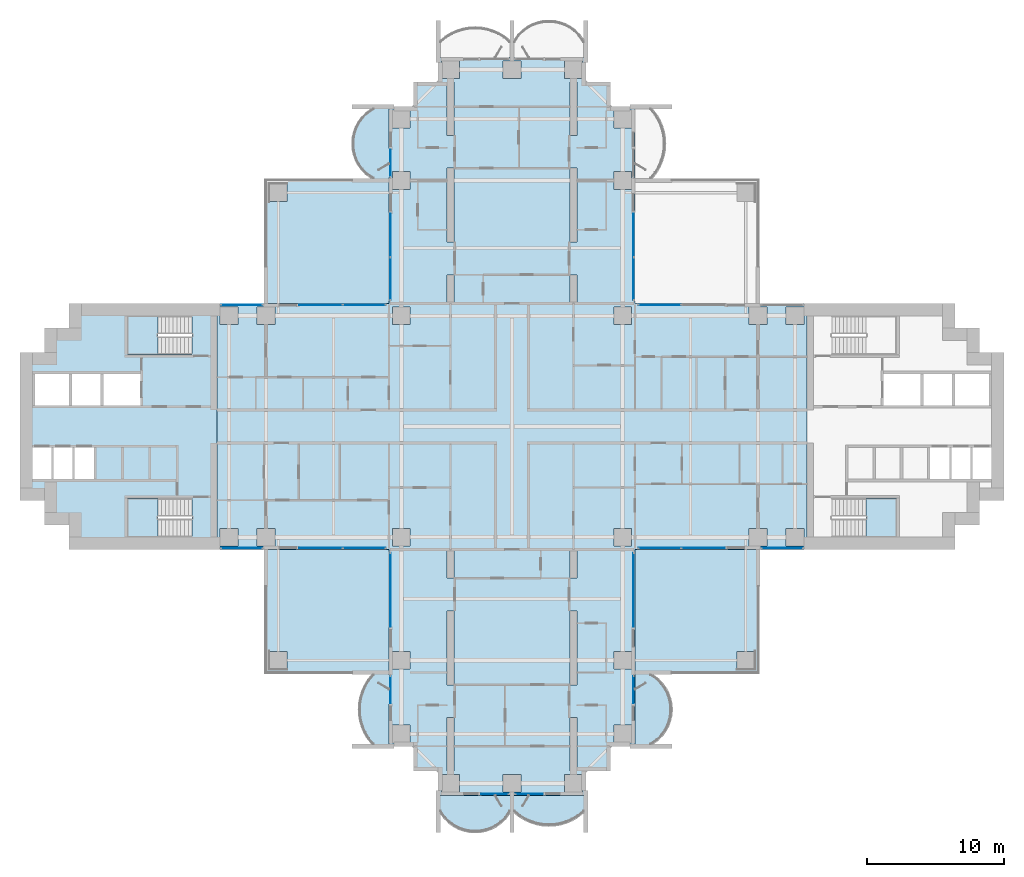
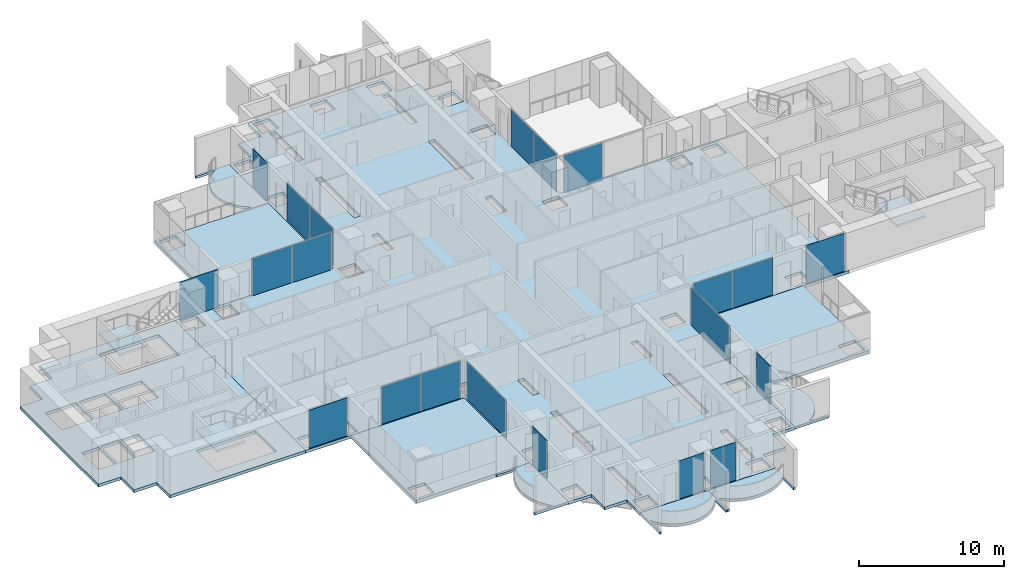
# One storey, part 8 of 21: 21 plates, 13 slabs, 19 elements without a shape of their own.
"""IFC4 building model written with IfcOpenShell, lengths in metres."""

from ifc_helpers import new_model, si_unit, direction, frame, origin, origin_2d, place, context, subcontext, project, spatial, polyline, rectangle, outline, extrude, material, layer, layer_set, type_object, element, aggregate, save


model = new_model("IFC4")

# Units and contexts
model_context = context("Model", 3, precision=1e-05, world=origin(), true_north=direction((0.0, 1.0)))
body_context = subcontext(model_context, "Body", "Model", "MODEL_VIEW")
ifc_project = project(units=[si_unit("LENGTHUNIT", "METRE"), si_unit("AREAUNIT", "SQUARE_METRE"), si_unit("VOLUMEUNIT", "CUBIC_METRE"), si_unit("PLANEANGLEUNIT", "RADIAN"), si_unit("MASSUNIT", "GRAM", prefix="KILO")], contexts=[model_context])

# Site, building, storey
site_placement = place(None, origin())
site = spatial("IfcSite", under=ifc_project, at=site_placement, CompositionType="ELEMENT")
building_placement = place(site_placement, origin())
building = spatial("IfcBuilding", under=site, at=building_placement, Name="Perihelion Cross Residences", CompositionType="ELEMENT")
storey_placement = place(building_placement, frame((0.0, 0.0, 89.0)))
storey = spatial("IfcBuildingStorey", under=building, at=storey_placement, Name="L20", CompositionType="ELEMENT", Elevation=89.0)

# Slabs
ifc_material_1 = material(Name="Concrete C40/50", Category="concrete")
ifc_layer_1 = layer(ifc_material_1, 0.199951171875)
ifc_layer_set_1 = layer_set([ifc_layer_1], Name="Balcony slab 200")
slab_type_1 = type_object("IfcSlabType", Name="Balcony slab 200", PredefinedType="FLOOR", material=ifc_layer_set_1)
slab_1_placement = place(storey_placement, frame((0.0, 0.0, -0.199951171875)))
element("IfcSlab", 1, at=slab_1_placement, inside=storey, type_object=slab_type_1, Name="Slab BK1 L20 north side west bay 1 balcony", PredefinedType="FLOOR", context=body_context, shape_type="SweptSolid", body=[
    extrude(outline(polyline([(-9.0, 23.39990234375), (-9.0, 18.0), (-11.699951171875, 18.0), (-11.699951171875, 18.14990234375), (-10.199951171875, 18.14990234375), (-10.6767578125, 18.489990234375), (-11.007080078125, 18.830078125), (-11.2490234375, 19.169921875), (-11.42724609375, 19.510009765625), (-11.553466796875, 19.85009765625), (-11.63427734375, 20.18994140625), (-11.674072265625, 20.530029296875), (-11.674072265625, 20.8701171875), (-11.63427734375, 21.2099609375), (-11.553466796875, 21.550048828125), (-11.42724609375, 21.889892578125), (-11.2490234375, 22.22998046875), (-11.007080078125, 22.570068359375), (-10.6767578125, 22.909912109375), (-10.199951171875, 23.25), (-11.699951171875, 23.25), (-11.699951171875, 23.39990234375), (-9.0, 23.39990234375)])), origin(), (0.0, 0.0, 1.0), 0.199951171875),
])
slab_2_placement = place(storey_placement, frame((0.0, 0.0, -0.199951171875)))
element("IfcSlab", 2, at=slab_2_placement, inside=storey, type_object=slab_type_1, Name="Slab BK1 L20 south side west bay 2 balcony", PredefinedType="FLOOR", context=body_context, shape_type="SweptSolid", body=[
    extrude(outline(polyline([(-9.0, -18.0), (-9.0, -23.39990234375), (-11.699951171875, -23.39990234375), (-11.699951171875, -23.25), (-10.199951171875, -23.25), (-10.5400390625, -22.824951171875), (-10.792724609375, -22.39990234375), (-10.9765625, -21.97509765625), (-11.1025390625, -21.550048828125), (-11.17578125, -21.125), (-11.199951171875, -20.699951171875), (-11.17578125, -20.27490234375), (-11.1025390625, -19.85009765625), (-10.9765625, -19.425048828125), (-10.792724609375, -19.0), (-10.5400390625, -18.574951171875), (-10.199951171875, -18.14990234375), (-11.699951171875, -18.14990234375), (-11.699951171875, -18.0), (-9.0, -18.0)])), origin(), (0.0, 0.0, 1.0), 0.199951171875),
])
slab_3_placement = place(storey_placement, frame((0.0, 0.0, -0.199951171875)))
element("IfcSlab", 3, at=slab_3_placement, inside=storey, type_object=slab_type_1, Name="Slab BK1 L20 south tip south bay 1 balcony", PredefinedType="FLOOR", context=body_context, shape_type="SweptSolid", body=[
    extrude(outline(polyline([(-5.39990234375, -27.0), (0.0, -27.0), (0.0, -29.699951171875), (-0.14990234375, -29.699951171875), (-0.14990234375, -28.199951171875), (-0.489990234375, -28.6767578125), (-0.830078125, -29.007080078125), (-1.169921875, -29.2490234375), (-1.510009765625, -29.42724609375), (-1.85009765625, -29.553466796875), (-2.18994140625, -29.63427734375), (-2.530029296875, -29.674072265625), (-2.8701171875, -29.674072265625), (-3.2099609375, -29.63427734375), (-3.550048828125, -29.553466796875), (-3.889892578125, -29.42724609375), (-4.22998046875, -29.2490234375), (-4.570068359375, -29.007080078125), (-4.909912109375, -28.6767578125), (-5.25, -28.199951171875), (-5.25, -29.699951171875), (-5.39990234375, -29.699951171875), (-5.39990234375, -27.0)])), origin(), (0.0, 0.0, 1.0), 0.199951171875),
])
slab_4_placement = place(storey_placement, frame((0.0, 0.0, -0.199951171875)))
element("IfcSlab", 4, at=slab_4_placement, inside=storey, type_object=slab_type_1, Name="Slab BK1 L20 south tip south bay 2 balcony", PredefinedType="FLOOR", context=body_context, shape_type="SweptSolid", body=[
    extrude(outline(polyline([(0.0, -27.0), (5.39990234375, -27.0), (5.39990234375, -29.699951171875), (5.25, -29.699951171875), (5.25, -28.199951171875), (4.824951171875, -28.5400390625), (4.39990234375, -28.792724609375), (3.97509765625, -28.9765625), (3.550048828125, -29.1025390625), (3.125, -29.17578125), (2.699951171875, -29.199951171875), (2.27490234375, -29.17578125), (1.85009765625, -29.1025390625), (1.425048828125, -28.9765625), (1.0, -28.792724609375), (0.574951171875, -28.5400390625), (0.14990234375, -28.199951171875), (0.14990234375, -29.699951171875), (0.0, -29.699951171875), (0.0, -27.0)])), origin(), (0.0, 0.0, 1.0), 0.199951171875),
])
slab_5_placement = place(storey_placement, frame((0.0, 0.0, -0.199951171875)))
element("IfcSlab", 5, at=slab_5_placement, inside=storey, type_object=slab_type_1, Name="Slab BK1 L20 south side east bay 1 balcony", PredefinedType="FLOOR", context=body_context, shape_type="SweptSolid", body=[
    extrude(outline(polyline([(9.0, -23.39990234375), (9.0, -18.0), (11.699951171875, -18.0), (11.699951171875, -18.14990234375), (10.199951171875, -18.14990234375), (10.6767578125, -18.489990234375), (11.007080078125, -18.830078125), (11.2490234375, -19.169921875), (11.42724609375, -19.510009765625), (11.553466796875, -19.85009765625), (11.63427734375, -20.18994140625), (11.674072265625, -20.530029296875), (11.674072265625, -20.8701171875), (11.63427734375, -21.2099609375), (11.553466796875, -21.550048828125), (11.42724609375, -21.889892578125), (11.2490234375, -22.22998046875), (11.007080078125, -22.570068359375), (10.6767578125, -22.909912109375), (10.199951171875, -23.25), (11.699951171875, -23.25), (11.699951171875, -23.39990234375), (9.0, -23.39990234375)])), origin(), (0.0, 0.0, 1.0), 0.199951171875),
])

# Curtain wall, plate
ifc_material_2 = material(Name="Bronze anodised aluminium, tinted glazing", Category="aluminium")
curtain_wall_type = type_object("IfcCurtainWallType", Name="CW1", PredefinedType="NOTDEFINED", material=ifc_material_2)
curtain_wall_1_placement = place(storey_placement, origin())
curtain_wall_1 = element("IfcCurtainWall", 6, at=curtain_wall_1_placement, inside=storey, type_object=curtain_wall_type, Name="Curtain wall CW1 L20 east side north bay 2", PredefinedType="NOTDEFINED")
ifc_material_3 = material(Name="Tinted laminated glass", Category="glass")
ifc_layer_2 = layer(ifc_material_3, 0.028076171875)
ifc_layer_set_2 = layer_set([ifc_layer_2], Name="CW1 panel")
plate_type = type_object("IfcPlateType", Name="CW1 panel", PredefinedType="CURTAIN_PANEL", material=ifc_layer_set_2)
plate_1_placement = place(storey_placement, frame((10.802490234375, 8.89990234375, 0.0), z_axis=(0.0, 0.0, 1.0), x_axis=(-1.0, 0.0, 0.0)))
plate_1 = element("IfcPlate", 7, at=plate_1_placement, type_object=plate_type, Name="CW1 panel 2", PredefinedType="CURTAIN_PANEL", context=body_context, shape_type="SweptSolid", body=[
    extrude(rectangle(XDim=3.0849609375, YDim=0.028076171875, at=origin_2d()), origin(), (0.0, 0.0, 1.0), 3.139892578125),
])
aggregate(curtain_wall_1, [plate_1])

# Curtain wall, plates
curtain_wall_2_placement = place(storey_placement, origin())
curtain_wall_2 = element("IfcCurtainWall", 8, at=curtain_wall_2_placement, inside=storey, type_object=curtain_wall_type, Name="Curtain wall CW1 L20 north side east bay 1", PredefinedType="NOTDEFINED")
plate_2_placement = place(storey_placement, frame((8.89990234375, 10.802490234375, 0.0), z_axis=(0.0, 0.0, 1.0), x_axis=(0.0, 1.0, 0.0)))
plate_2 = element("IfcPlate", 9, at=plate_2_placement, type_object=plate_type, Name="CW1 panel 1", PredefinedType="CURTAIN_PANEL", context=body_context, shape_type="SweptSolid", body=[
    extrude(rectangle(XDim=3.0849609375, YDim=0.028076171875, at=origin_2d()), origin(), (0.0, 0.0, 1.0), 3.139892578125),
])
plate_3_placement = place(storey_placement, frame((8.89990234375, 13.9775390625, 0.0), z_axis=(0.0, 0.0, 1.0), x_axis=(0.0, 1.0, 0.0)))
plate_3 = element("IfcPlate", 10, at=plate_3_placement, type_object=plate_type, Name="CW1 panel 2", PredefinedType="CURTAIN_PANEL", context=body_context, shape_type="SweptSolid", body=[
    extrude(rectangle(XDim=3.14501953125, YDim=0.028076171875, at=origin_2d()), origin(), (0.0, 0.0, 1.0), 3.139892578125),
])
aggregate(curtain_wall_2, [plate_2, plate_3])

# Curtain wall, plate
curtain_wall_3_placement = place(storey_placement, origin())
curtain_wall_3 = element("IfcCurtainWall", 11, at=curtain_wall_3_placement, inside=storey, type_object=curtain_wall_type, Name="Curtain wall CW1 L20 north side west bay 1", PredefinedType="NOTDEFINED")
plate_4_placement = place(storey_placement, frame((-8.89990234375, 19.2548828125, 0.0), z_axis=(0.0, 0.0, 1.0), x_axis=(0.0, -1.0, 0.0)))
plate_4 = element("IfcPlate", 12, at=plate_4_placement, type_object=plate_type, Name="CW1 panel 1", PredefinedType="CURTAIN_PANEL", context=body_context, shape_type="SweptSolid", body=[
    extrude(rectangle(XDim=1.989990234375, YDim=0.028076171875, at=origin_2d()), origin(), (0.0, 0.0, 1.0), 3.199951171875),
])
aggregate(curtain_wall_3, [plate_4])

# Curtain wall, plates
curtain_wall_4_placement = place(storey_placement, origin())
curtain_wall_4 = element("IfcCurtainWall", 13, at=curtain_wall_4_placement, inside=storey, type_object=curtain_wall_type, Name="Curtain wall CW1 L20 north side west bay 2", PredefinedType="NOTDEFINED")
plate_5_placement = place(storey_placement, frame((-8.89990234375, 13.9775390625, 0.0), z_axis=(0.0, 0.0, 1.0), x_axis=(0.0, -1.0, 0.0)))
plate_5 = element("IfcPlate", 14, at=plate_5_placement, type_object=plate_type, Name="CW1 panel 1", PredefinedType="CURTAIN_PANEL", context=body_context, shape_type="SweptSolid", body=[
    extrude(rectangle(XDim=3.14501953125, YDim=0.028076171875, at=origin_2d()), origin(), (0.0, 0.0, 1.0), 3.139892578125),
])
plate_6_placement = place(storey_placement, frame((-8.89990234375, 10.802490234375, 0.0), z_axis=(0.0, 0.0, 1.0), x_axis=(0.0, -1.0, 0.0)))
plate_6 = element("IfcPlate", 15, at=plate_6_placement, type_object=plate_type, Name="CW1 panel 2", PredefinedType="CURTAIN_PANEL", context=body_context, shape_type="SweptSolid", body=[
    extrude(rectangle(XDim=3.0849609375, YDim=0.028076171875, at=origin_2d()), origin(), (0.0, 0.0, 1.0), 3.139892578125),
])
aggregate(curtain_wall_4, [plate_5, plate_6])

curtain_wall_5_placement = place(storey_placement, origin())
curtain_wall_5 = element("IfcCurtainWall", 16, at=curtain_wall_5_placement, inside=storey, type_object=curtain_wall_type, Name="Curtain wall CW1 L20 west side north bay 1", PredefinedType="NOTDEFINED")
plate_7_placement = place(storey_placement, frame((-10.802490234375, 8.89990234375, 0.0), z_axis=(0.0, 0.0, 1.0), x_axis=(-1.0, 0.0, 0.0)))
plate_7 = element("IfcPlate", 17, at=plate_7_placement, type_object=plate_type, Name="CW1 panel 1", PredefinedType="CURTAIN_PANEL", context=body_context, shape_type="SweptSolid", body=[
    extrude(rectangle(XDim=3.0849609375, YDim=0.028076171875, at=origin_2d()), origin(), (0.0, 0.0, 1.0), 3.139892578125),
])
plate_8_placement = place(storey_placement, frame((-13.9775390625, 8.89990234375, 0.0), z_axis=(0.0, 0.0, 1.0), x_axis=(-1.0, 0.0, 0.0)))
plate_8 = element("IfcPlate", 18, at=plate_8_placement, type_object=plate_type, Name="CW1 panel 2", PredefinedType="CURTAIN_PANEL", context=body_context, shape_type="SweptSolid", body=[
    extrude(rectangle(XDim=3.14501953125, YDim=0.028076171875, at=origin_2d()), origin(), (0.0, 0.0, 1.0), 3.139892578125),
])
aggregate(curtain_wall_5, [plate_7, plate_8])

# Curtain wall, plate
curtain_wall_6_placement = place(storey_placement, origin())
curtain_wall_6 = element("IfcCurtainWall", 19, at=curtain_wall_6_placement, inside=storey, type_object=curtain_wall_type, Name="Curtain wall CW1 L20 west side north bay 2", PredefinedType="NOTDEFINED")
plate_9_placement = place(storey_placement, frame((-19.77490234375, 8.89990234375, 0.0), z_axis=(0.0, 0.0, 1.0), x_axis=(-1.0, 0.0, 0.0)))
plate_9 = element("IfcPlate", 20, at=plate_9_placement, type_object=plate_type, Name="CW1 panel 1", PredefinedType="CURTAIN_PANEL", context=body_context, shape_type="SweptSolid", body=[
    extrude(rectangle(XDim=3.030029296875, YDim=0.028076171875, at=origin_2d()), origin(), (0.0, 0.0, 1.0), 3.199951171875),
])
aggregate(curtain_wall_6, [plate_9])

curtain_wall_7_placement = place(storey_placement, origin())
curtain_wall_7 = element("IfcCurtainWall", 21, at=curtain_wall_7_placement, inside=storey, type_object=curtain_wall_type, Name="Curtain wall CW1 L20 west side south bay 1", PredefinedType="NOTDEFINED")
plate_10_placement = place(storey_placement, frame((-19.77490234375, -8.89990234375, 0.0), z_axis=(0.0, 0.0, 1.0), x_axis=(1.0, 0.0, 0.0)))
plate_10 = element("IfcPlate", 22, at=plate_10_placement, type_object=plate_type, Name="CW1 panel 1", PredefinedType="CURTAIN_PANEL", context=body_context, shape_type="SweptSolid", body=[
    extrude(rectangle(XDim=3.030029296875, YDim=0.028076171875, at=origin_2d()), origin(), (0.0, 0.0, 1.0), 3.199951171875),
])
aggregate(curtain_wall_7, [plate_10])

# Curtain wall, plates
curtain_wall_8_placement = place(storey_placement, origin())
curtain_wall_8 = element("IfcCurtainWall", 23, at=curtain_wall_8_placement, inside=storey, type_object=curtain_wall_type, Name="Curtain wall CW1 L20 west side south bay 2", PredefinedType="NOTDEFINED")
plate_11_placement = place(storey_placement, frame((-13.9775390625, -8.89990234375, 0.0), z_axis=(0.0, 0.0, 1.0), x_axis=(1.0, 0.0, 0.0)))
plate_11 = element("IfcPlate", 24, at=plate_11_placement, type_object=plate_type, Name="CW1 panel 1", PredefinedType="CURTAIN_PANEL", context=body_context, shape_type="SweptSolid", body=[
    extrude(rectangle(XDim=3.14501953125, YDim=0.028076171875, at=origin_2d()), origin(), (0.0, 0.0, 1.0), 3.139892578125),
])
plate_12_placement = place(storey_placement, frame((-10.802490234375, -8.89990234375, 0.0), z_axis=(0.0, 0.0, 1.0), x_axis=(1.0, 0.0, 0.0)))
plate_12 = element("IfcPlate", 25, at=plate_12_placement, type_object=plate_type, Name="CW1 panel 2", PredefinedType="CURTAIN_PANEL", context=body_context, shape_type="SweptSolid", body=[
    extrude(rectangle(XDim=3.0849609375, YDim=0.028076171875, at=origin_2d()), origin(), (0.0, 0.0, 1.0), 3.139892578125),
])
aggregate(curtain_wall_8, [plate_11, plate_12])

# Curtain wall, plate
curtain_wall_9_placement = place(storey_placement, origin())
curtain_wall_9 = element("IfcCurtainWall", 26, at=curtain_wall_9_placement, inside=storey, type_object=curtain_wall_type, Name="Curtain wall CW1 L20 south side west bay 1", PredefinedType="NOTDEFINED")
plate_13_placement = place(storey_placement, frame((-8.89990234375, -11.955078125, 0.0), z_axis=(0.0, 0.0, 1.0), x_axis=(0.0, -1.0, 0.0)))
plate_13 = element("IfcPlate", 27, at=plate_13_placement, type_object=plate_type, Name="CW1 panel 1", PredefinedType="CURTAIN_PANEL", context=body_context, shape_type="SweptSolid", body=[
    extrude(rectangle(XDim=5.389892578125, YDim=0.028076171875, at=origin_2d()), origin(), (0.0, 0.0, 1.0), 3.139892578125),
])
aggregate(curtain_wall_9, [plate_13])

curtain_wall_10_placement = place(storey_placement, origin())
curtain_wall_10 = element("IfcCurtainWall", 28, at=curtain_wall_10_placement, inside=storey, type_object=curtain_wall_type, Name="Curtain wall CW1 L20 south side west bay 2", PredefinedType="NOTDEFINED")
plate_14_placement = place(storey_placement, frame((-8.89990234375, -19.2548828125, 0.0), z_axis=(0.0, 0.0, 1.0), x_axis=(0.0, -1.0, 0.0)))
plate_14 = element("IfcPlate", 29, at=plate_14_placement, type_object=plate_type, Name="CW1 panel 1", PredefinedType="CURTAIN_PANEL", context=body_context, shape_type="SweptSolid", body=[
    extrude(rectangle(XDim=1.989990234375, YDim=0.028076171875, at=origin_2d()), origin(), (0.0, 0.0, 1.0), 3.199951171875),
])
aggregate(curtain_wall_10, [plate_14])

curtain_wall_11_placement = place(storey_placement, origin())
curtain_wall_11 = element("IfcCurtainWall", 30, at=curtain_wall_11_placement, inside=storey, type_object=curtain_wall_type, Name="Curtain wall CW1 L20 south tip south bay 1", PredefinedType="NOTDEFINED")
plate_15_placement = place(storey_placement, frame((-1.2548828125, -26.89990234375, 0.0), z_axis=(0.0, 0.0, 1.0), x_axis=(1.0, 0.0, 0.0)))
plate_15 = element("IfcPlate", 31, at=plate_15_placement, type_object=plate_type, Name="CW1 panel 1", PredefinedType="CURTAIN_PANEL", context=body_context, shape_type="SweptSolid", body=[
    extrude(rectangle(XDim=1.989990234375, YDim=0.028076171875, at=origin_2d()), origin(), (0.0, 0.0, 1.0), 3.199951171875),
])
aggregate(curtain_wall_11, [plate_15])

curtain_wall_12_placement = place(storey_placement, origin())
curtain_wall_12 = element("IfcCurtainWall", 32, at=curtain_wall_12_placement, inside=storey, type_object=curtain_wall_type, Name="Curtain wall CW1 L20 south tip south bay 2", PredefinedType="NOTDEFINED")
plate_16_placement = place(storey_placement, frame((1.2548828125, -26.89990234375, 0.0), z_axis=(0.0, 0.0, 1.0), x_axis=(1.0, 0.0, 0.0)))
plate_16 = element("IfcPlate", 33, at=plate_16_placement, type_object=plate_type, Name="CW1 panel 1", PredefinedType="CURTAIN_PANEL", context=body_context, shape_type="SweptSolid", body=[
    extrude(rectangle(XDim=1.989990234375, YDim=0.028076171875, at=origin_2d()), origin(), (0.0, 0.0, 1.0), 3.199951171875),
])
aggregate(curtain_wall_12, [plate_16])

curtain_wall_13_placement = place(storey_placement, origin())
curtain_wall_13 = element("IfcCurtainWall", 34, at=curtain_wall_13_placement, inside=storey, type_object=curtain_wall_type, Name="Curtain wall CW1 L20 south side east bay 1", PredefinedType="NOTDEFINED")
plate_17_placement = place(storey_placement, frame((8.89990234375, -19.2548828125, 0.0), z_axis=(0.0, 0.0, 1.0), x_axis=(0.0, 1.0, 0.0)))
plate_17 = element("IfcPlate", 35, at=plate_17_placement, type_object=plate_type, Name="CW1 panel 1", PredefinedType="CURTAIN_PANEL", context=body_context, shape_type="SweptSolid", body=[
    extrude(rectangle(XDim=1.989990234375, YDim=0.028076171875, at=origin_2d()), origin(), (0.0, 0.0, 1.0), 3.199951171875),
])
aggregate(curtain_wall_13, [plate_17])

curtain_wall_14_placement = place(storey_placement, origin())
curtain_wall_14 = element("IfcCurtainWall", 36, at=curtain_wall_14_placement, inside=storey, type_object=curtain_wall_type, Name="Curtain wall CW1 L20 south side east bay 2", PredefinedType="NOTDEFINED")
plate_18_placement = place(storey_placement, frame((8.89990234375, -11.955078125, 0.0), z_axis=(0.0, 0.0, 1.0), x_axis=(0.0, 1.0, 0.0)))
plate_18 = element("IfcPlate", 37, at=plate_18_placement, type_object=plate_type, Name="CW1 panel 1", PredefinedType="CURTAIN_PANEL", context=body_context, shape_type="SweptSolid", body=[
    extrude(rectangle(XDim=5.389892578125, YDim=0.028076171875, at=origin_2d()), origin(), (0.0, 0.0, 1.0), 3.139892578125),
])
aggregate(curtain_wall_14, [plate_18])

# Curtain wall, plates
curtain_wall_15_placement = place(storey_placement, origin())
curtain_wall_15 = element("IfcCurtainWall", 38, at=curtain_wall_15_placement, inside=storey, type_object=curtain_wall_type, Name="Curtain wall CW1 L20 east side south bay 1", PredefinedType="NOTDEFINED")
plate_19_placement = place(storey_placement, frame((10.802490234375, -8.89990234375, 0.0), z_axis=(0.0, 0.0, 1.0), x_axis=(1.0, 0.0, 0.0)))
plate_19 = element("IfcPlate", 39, at=plate_19_placement, type_object=plate_type, Name="CW1 panel 1", PredefinedType="CURTAIN_PANEL", context=body_context, shape_type="SweptSolid", body=[
    extrude(rectangle(XDim=3.0849609375, YDim=0.028076171875, at=origin_2d()), origin(), (0.0, 0.0, 1.0), 3.139892578125),
])
plate_20_placement = place(storey_placement, frame((13.9775390625, -8.89990234375, 0.0), z_axis=(0.0, 0.0, 1.0), x_axis=(1.0, 0.0, 0.0)))
plate_20 = element("IfcPlate", 40, at=plate_20_placement, type_object=plate_type, Name="CW1 panel 2", PredefinedType="CURTAIN_PANEL", context=body_context, shape_type="SweptSolid", body=[
    extrude(rectangle(XDim=3.14501953125, YDim=0.028076171875, at=origin_2d()), origin(), (0.0, 0.0, 1.0), 3.139892578125),
])
aggregate(curtain_wall_15, [plate_19, plate_20])

# Curtain wall, plate
curtain_wall_16_placement = place(storey_placement, origin())
curtain_wall_16 = element("IfcCurtainWall", 41, at=curtain_wall_16_placement, inside=storey, type_object=curtain_wall_type, Name="Curtain wall CW1 L20 east side south bay 2", PredefinedType="NOTDEFINED")
plate_21_placement = place(storey_placement, frame((19.77490234375, -8.89990234375, 0.0), z_axis=(0.0, 0.0, 1.0), x_axis=(1.0, 0.0, 0.0)))
plate_21 = element("IfcPlate", 42, at=plate_21_placement, type_object=plate_type, Name="CW1 panel 1", PredefinedType="CURTAIN_PANEL", context=body_context, shape_type="SweptSolid", body=[
    extrude(rectangle(XDim=3.030029296875, YDim=0.028076171875, at=origin_2d()), origin(), (0.0, 0.0, 1.0), 3.199951171875),
])
aggregate(curtain_wall_16, [plate_21])

# Slabs
ifc_material_4 = material(Name="Concrete C40/50", Category="concrete")
ifc_layer_3 = layer(ifc_material_4, 0.25)
ifc_layer_set_3 = layer_set([ifc_layer_3], Name="Core floor slab 250")
slab_type_2 = type_object("IfcSlabType", Name="Core floor slab 250", PredefinedType="FLOOR", material=ifc_layer_set_3)
slab_6_placement = place(storey_placement, frame((0.0, 0.0, -0.25)))
element("IfcSlab", 43, at=slab_6_placement, inside=storey, type_object=slab_type_2, Name="West core floor slab", PredefinedType="FLOOR", context=body_context, shape_type="SweptSolid", body=[
    extrude(outline(polyline([(-32.39990234375, 7.199951171875), (-34.199951171875, 7.199951171875), (-34.199951171875, 5.39990234375), (-36.0, 5.39990234375), (-36.0, -5.39990234375), (-34.199951171875, -5.39990234375), (-34.199951171875, -7.199951171875), (-32.39990234375, -7.199951171875), (-32.39990234375, -9.0), (-21.60009765625, -9.0), (-21.60009765625, 9.0), (-32.39990234375, 9.0), (-32.39990234375, 7.199951171875)]), holes=[polyline([(-23.405029296875, -8.10009765625), (-28.14990234375, -8.10009765625), (-28.14990234375, -5.25), (-23.405029296875, -5.25), (-23.405029296875, -8.10009765625)]), polyline([(-30.60009765625, -1.550048828125), (-30.60009765625, -3.85009765625), (-32.0, -3.85009765625), (-32.0, -1.550048828125), (-30.60009765625, -1.550048828125)]), polyline([(-32.14990234375, -1.550048828125), (-32.14990234375, -3.85009765625), (-33.550048828125, -3.85009765625), (-33.550048828125, -1.550048828125), (-32.14990234375, -1.550048828125)]), polyline([(-33.699951171875, -1.550048828125), (-33.699951171875, -3.85009765625), (-35.10009765625, -3.85009765625), (-35.10009765625, -1.550048828125), (-33.699951171875, -1.550048828125)]), polyline([(-27.199951171875, 3.85009765625), (-27.199951171875, 1.550048828125), (-29.89990234375, 1.550048828125), (-29.89990234375, 3.85009765625), (-27.199951171875, 3.85009765625)]), polyline([(-30.10009765625, 3.85009765625), (-30.10009765625, 1.550048828125), (-32.199951171875, 1.550048828125), (-32.199951171875, 3.85009765625), (-30.10009765625, 3.85009765625)]), polyline([(-32.39990234375, 3.85009765625), (-32.39990234375, 1.550048828125), (-34.89990234375, 1.550048828125), (-34.89990234375, 3.85009765625), (-32.39990234375, 3.85009765625)]), polyline([(-23.405029296875, 5.25), (-28.14990234375, 5.25), (-28.14990234375, 8.10009765625), (-23.405029296875, 8.10009765625), (-23.405029296875, 5.25)])]), origin(), (0.0, 0.0, 1.0), 0.25),
])
ifc_material_5 = material(Name="Concrete C40/50", Category="concrete")
ifc_layer_4 = layer(ifc_material_5, 0.25)
ifc_layer_set_4 = layer_set([ifc_layer_4], Name="Corner terrace slab")
slab_type_3 = type_object("IfcSlabType", Name="Corner terrace slab", PredefinedType="FLOOR", material=ifc_layer_set_4)
slab_7_placement = place(storey_placement, frame((0.0, 0.0, -0.25)))
element("IfcSlab", 44, at=slab_7_placement, inside=storey, type_object=slab_type_3, Name="Slab BK2 L20 pocket north-west", PredefinedType="FLOOR", context=body_context, shape_type="SweptSolid", body=[
    extrude(outline(polyline([(-9.0, 9.0), (-9.0, 18.0), (-18.0, 18.0), (-18.0, 9.0), (-9.0, 9.0)]), holes=[polyline([(-17.7900390625, 16.409912109375), (-17.7900390625, 17.7900390625), (-16.449951171875, 17.7900390625), (-16.449951171875, 16.449951171875), (-17.75, 16.449951171875), (-17.75, 16.409912109375), (-17.7900390625, 16.409912109375)])]), origin(), (0.0, 0.0, 1.0), 0.25),
])
slab_8_placement = place(storey_placement, frame((0.0, 0.0, -0.25)))
element("IfcSlab", 45, at=slab_8_placement, inside=storey, type_object=slab_type_3, Name="Slab BK2 L20 pocket south-west", PredefinedType="FLOOR", context=body_context, shape_type="SweptSolid", body=[
    extrude(outline(polyline([(-9.0, -18.0), (-9.0, -9.0), (-18.0, -9.0), (-18.0, -18.0), (-9.0, -18.0)]), holes=[polyline([(-17.7900390625, -16.409912109375), (-17.75, -16.409912109375), (-17.75, -16.449951171875), (-16.449951171875, -16.449951171875), (-16.449951171875, -17.7900390625), (-17.7900390625, -17.7900390625), (-17.7900390625, -16.409912109375)])]), origin(), (0.0, 0.0, 1.0), 0.25),
])
slab_9_placement = place(storey_placement, frame((0.0, 0.0, -0.25)))
element("IfcSlab", 46, at=slab_9_placement, inside=storey, type_object=slab_type_3, Name="Slab BK2 L20 pocket south-east", PredefinedType="FLOOR", context=body_context, shape_type="SweptSolid", body=[
    extrude(outline(polyline([(18.0, -18.0), (18.0, -9.0), (9.0, -9.0), (9.0, -18.0), (18.0, -18.0)]), holes=[polyline([(16.449951171875, -17.7900390625), (16.449951171875, -16.449951171875), (17.75, -16.449951171875), (17.75, -16.409912109375), (17.7900390625, -16.409912109375), (17.7900390625, -17.7900390625), (16.449951171875, -17.7900390625)])]), origin(), (0.0, 0.0, 1.0), 0.25),
])

# Stair, slab
ifc_material_6 = material(Name="Concrete C40/50", Category="concrete")
stair_type = type_object("IfcStairType", Name="Exit stair, half-turn", PredefinedType="HALF_TURN_STAIR", material=ifc_material_6)
stair_1_placement = place(storey_placement, origin())
stair_1 = element("IfcStair", 47, at=stair_1_placement, inside=storey, type_object=stair_type, Name="L20 East core exit stair 2", PredefinedType="HALF_TURN_STAIR")
ifc_material_7 = material(Name="Concrete C40/50", Category="concrete")
ifc_layer_5 = layer(ifc_material_7, 0.199951171875)
ifc_layer_set_5 = layer_set([ifc_layer_5], Name="Exit stair landing 200")
slab_type_4 = type_object("IfcSlabType", Name="Exit stair landing 200", PredefinedType="LANDING", material=ifc_layer_set_5)
slab_10_placement = place(storey_placement, frame((0.0, 0.0, 1.550048828125)))
slab_10 = element("IfcSlab", 48, at=slab_10_placement, type_object=slab_type_4, Name="ST-E2 landing 1", PredefinedType="LANDING", context=body_context, shape_type="SweptSolid", body=[
    extrude(outline(polyline([(25.919921875, -8.10009765625), (28.14990234375, -8.10009765625), (28.14990234375, -5.25), (25.919921875, -5.25), (25.919921875, -8.10009765625)])), origin(), (0.0, 0.0, 1.0), 0.199951171875),
])
aggregate(stair_1, [slab_10])

stair_2_placement = place(storey_placement, origin())
stair_2 = element("IfcStair", 49, at=stair_2_placement, inside=storey, type_object=stair_type, Name="L20 West core exit stair 1", PredefinedType="HALF_TURN_STAIR")
slab_11_placement = place(storey_placement, frame((0.0, 0.0, 1.550048828125)))
slab_11 = element("IfcSlab", 50, at=slab_11_placement, type_object=slab_type_4, Name="ST-W1 landing 1", PredefinedType="LANDING", context=body_context, shape_type="SweptSolid", body=[
    extrude(outline(polyline([(-25.919921875, 8.10009765625), (-28.14990234375, 8.10009765625), (-28.14990234375, 5.25), (-25.919921875, 5.25), (-25.919921875, 8.10009765625)])), origin(), (0.0, 0.0, 1.0), 0.199951171875),
])
aggregate(stair_2, [slab_11])

stair_3_placement = place(storey_placement, origin())
stair_3 = element("IfcStair", 51, at=stair_3_placement, inside=storey, type_object=stair_type, Name="L20 West core exit stair 2", PredefinedType="HALF_TURN_STAIR")
slab_12_placement = place(storey_placement, frame((0.0, 0.0, 1.550048828125)))
slab_12 = element("IfcSlab", 52, at=slab_12_placement, type_object=slab_type_4, Name="ST-W2 landing 1", PredefinedType="LANDING", context=body_context, shape_type="SweptSolid", body=[
    extrude(outline(polyline([(-25.919921875, -5.25), (-28.14990234375, -5.25), (-28.14990234375, -8.10009765625), (-25.919921875, -8.10009765625), (-25.919921875, -5.25)])), origin(), (0.0, 0.0, 1.0), 0.199951171875),
])
aggregate(stair_3, [slab_12])

# Slab
ifc_material_8 = material(Name="Concrete C50/60", Category="concrete")
ifc_layer_6 = layer(ifc_material_8, 0.25)
ifc_layer_set_6 = layer_set([ifc_layer_6], Name="Residential floor post-tensioned slab concrete C50/60")
slab_type_5 = type_object("IfcSlabType", Name="Residential floor post-tensioned slab concrete C50/60", PredefinedType="FLOOR", material=ifc_layer_set_6)
slab_13_placement = place(storey_placement, frame((0.0, 0.0, -0.25)))
element("IfcSlab", 53, at=slab_13_placement, inside=storey, type_object=slab_type_5, Name="Slab SL8 L20 1 no. 1", PredefinedType="FLOOR", context=body_context, shape_type="SweptSolid", body=[
    extrude(outline(polyline([(-9.0, 9.0), (-9.0, 23.39990234375), (-7.199951171875, 23.39990234375), (-7.199951171875, 25.199951171875), (-5.39990234375, 25.199951171875), (-5.39990234375, 27.0), (5.39990234375, 27.0), (5.39990234375, 25.199951171875), (7.199951171875, 25.199951171875), (7.199951171875, 23.39990234375), (9.0, 23.39990234375), (9.0, 9.0), (21.60009765625, 9.0), (21.60009765625, -9.0), (9.0, -9.0), (9.0, -23.39990234375), (7.199951171875, -23.39990234375), (7.199951171875, -25.199951171875), (5.39990234375, -25.199951171875), (5.39990234375, -27.0), (-5.39990234375, -27.0), (-5.39990234375, -25.199951171875), (-7.199951171875, -25.199951171875), (-7.199951171875, -23.39990234375), (-9.0, -23.39990234375), (-9.0, -9.0), (-21.60009765625, -9.0), (-21.60009765625, 9.0), (-9.0, 9.0)]), holes=[polyline([(0.64990234375, -26.75), (0.64990234375, -25.449951171875), (-0.64990234375, -25.449951171875), (-0.64990234375, -26.75), (0.64990234375, -26.75)]), polyline([(-3.85009765625, -26.75), (-3.85009765625, -25.449951171875), (-5.14990234375, -25.449951171875), (-5.14990234375, -26.75), (-3.85009765625, -26.75)]), polyline([(-4.25, -25.199951171875), (-4.25, -21.300048828125), (-4.75, -21.300048828125), (-4.75, -25.199951171875), (-4.25, -25.199951171875)]), polyline([(-8.75, -23.14990234375), (-7.449951171875, -23.14990234375), (-7.449951171875, -21.85009765625), (-8.75, -21.85009765625), (-8.75, -23.14990234375)]), polyline([(-8.75, -17.75), (-7.449951171875, -17.75), (-7.449951171875, -16.449951171875), (-8.75, -16.449951171875), (-8.75, -17.75)]), polyline([(-4.25, -18.89990234375), (-4.25, -13.5), (-4.75, -13.5), (-4.75, -18.89990234375), (-4.25, -18.89990234375)]), polyline([(-4.25, -11.10009765625), (-4.25, -9.0), (-4.75, -9.0), (-4.75, -11.10009765625), (-4.25, -11.10009765625)]), polyline([(-7.449951171875, -8.75), (-7.449951171875, -7.449951171875), (-8.75, -7.449951171875), (-8.75, -8.75), (-7.449951171875, -8.75)]), polyline([(-18.64990234375, -8.75), (-17.35009765625, -8.75), (-17.35009765625, -7.449951171875), (-18.64990234375, -7.449951171875), (-18.64990234375, -8.75)]), polyline([(-21.35009765625, -8.75), (-20.050048828125, -8.75), (-20.050048828125, -7.449951171875), (-21.35009765625, -7.449951171875), (-21.35009765625, -8.75)]), polyline([(-17.35009765625, 7.449951171875), (-17.35009765625, 8.75), (-18.64990234375, 8.75), (-18.64990234375, 7.449951171875), (-17.35009765625, 7.449951171875)]), polyline([(-7.449951171875, 7.449951171875), (-7.449951171875, 8.75), (-8.75, 8.75), (-8.75, 7.449951171875), (-7.449951171875, 7.449951171875)]), polyline([(-21.35009765625, 7.449951171875), (-20.050048828125, 7.449951171875), (-20.050048828125, 8.75), (-21.35009765625, 8.75), (-21.35009765625, 7.449951171875)]), polyline([(-4.75, 9.0), (-4.25, 9.0), (-4.25, 11.10009765625), (-4.75, 11.10009765625), (-4.75, 9.0)]), polyline([(-4.25, 13.5), (-4.25, 18.89990234375), (-4.75, 18.89990234375), (-4.75, 13.5), (-4.25, 13.5)]), polyline([(-7.449951171875, 17.35009765625), (-7.449951171875, 18.64990234375), (-8.75, 18.64990234375), (-8.75, 17.35009765625), (-7.449951171875, 17.35009765625)]), polyline([(-7.449951171875, 21.85009765625), (-7.449951171875, 23.14990234375), (-8.75, 23.14990234375), (-8.75, 21.85009765625), (-7.449951171875, 21.85009765625)]), polyline([(-4.75, 21.300048828125), (-4.25, 21.300048828125), (-4.25, 25.199951171875), (-4.75, 25.199951171875), (-4.75, 21.300048828125)]), polyline([(-5.14990234375, 25.449951171875), (-3.85009765625, 25.449951171875), (-3.85009765625, 26.75), (-5.14990234375, 26.75), (-5.14990234375, 25.449951171875)]), polyline([(5.14990234375, -26.75), (5.14990234375, -25.449951171875), (3.85009765625, -25.449951171875), (3.85009765625, -26.75), (5.14990234375, -26.75)]), polyline([(4.75, -25.199951171875), (4.75, -21.300048828125), (4.25, -21.300048828125), (4.25, -25.199951171875), (4.75, -25.199951171875)]), polyline([(8.75, -23.14990234375), (8.75, -21.85009765625), (7.449951171875, -21.85009765625), (7.449951171875, -23.14990234375), (8.75, -23.14990234375)]), polyline([(7.449951171875, -17.75), (8.75, -17.75), (8.75, -16.449951171875), (7.449951171875, -16.449951171875), (7.449951171875, -17.75)]), polyline([(4.25, -18.89990234375), (4.75, -18.89990234375), (4.75, -13.5), (4.25, -13.5), (4.25, -18.89990234375)]), polyline([(4.75, -11.10009765625), (4.75, -9.0), (4.25, -9.0), (4.25, -11.10009765625), (4.75, -11.10009765625)]), polyline([(18.64990234375, -8.75), (18.64990234375, -7.449951171875), (17.35009765625, -7.449951171875), (17.35009765625, -8.75), (18.64990234375, -8.75)]), polyline([(21.35009765625, -8.75), (21.35009765625, -7.449951171875), (20.050048828125, -7.449951171875), (20.050048828125, -8.75), (21.35009765625, -8.75)]), polyline([(7.449951171875, -8.75), (8.75, -8.75), (8.75, -7.449951171875), (7.449951171875, -7.449951171875), (7.449951171875, -8.75)]), polyline([(21.35009765625, 7.449951171875), (21.35009765625, 8.75), (20.050048828125, 8.75), (20.050048828125, 7.449951171875), (21.35009765625, 7.449951171875)]), polyline([(8.75, 7.449951171875), (8.75, 8.75), (7.449951171875, 8.75), (7.449951171875, 7.449951171875), (8.75, 7.449951171875)]), polyline([(18.64990234375, 7.449951171875), (18.64990234375, 8.75), (17.35009765625, 8.75), (17.35009765625, 7.449951171875), (18.64990234375, 7.449951171875)]), polyline([(4.25, 9.0), (4.75, 9.0), (4.75, 11.10009765625), (4.25, 11.10009765625), (4.25, 9.0)]), polyline([(4.25, 13.5), (4.75, 13.5), (4.75, 18.89990234375), (4.25, 18.89990234375), (4.25, 13.5)]), polyline([(8.75, 17.35009765625), (8.75, 18.64990234375), (7.449951171875, 18.64990234375), (7.449951171875, 17.35009765625), (8.75, 17.35009765625)]), polyline([(8.75, 21.85009765625), (8.75, 23.14990234375), (7.449951171875, 23.14990234375), (7.449951171875, 21.85009765625), (8.75, 21.85009765625)]), polyline([(4.75, 21.300048828125), (4.75, 25.199951171875), (4.25, 25.199951171875), (4.25, 21.300048828125), (4.75, 21.300048828125)]), polyline([(-0.64990234375, 25.449951171875), (0.64990234375, 25.449951171875), (0.64990234375, 26.75), (-0.64990234375, 26.75), (-0.64990234375, 25.449951171875)]), polyline([(3.85009765625, 25.449951171875), (5.14990234375, 25.449951171875), (5.14990234375, 26.75), (3.85009765625, 26.75), (3.85009765625, 25.449951171875)])]), origin(), (0.0, 0.0, 1.0), 0.25),
])

save(model, "model.ifc")
